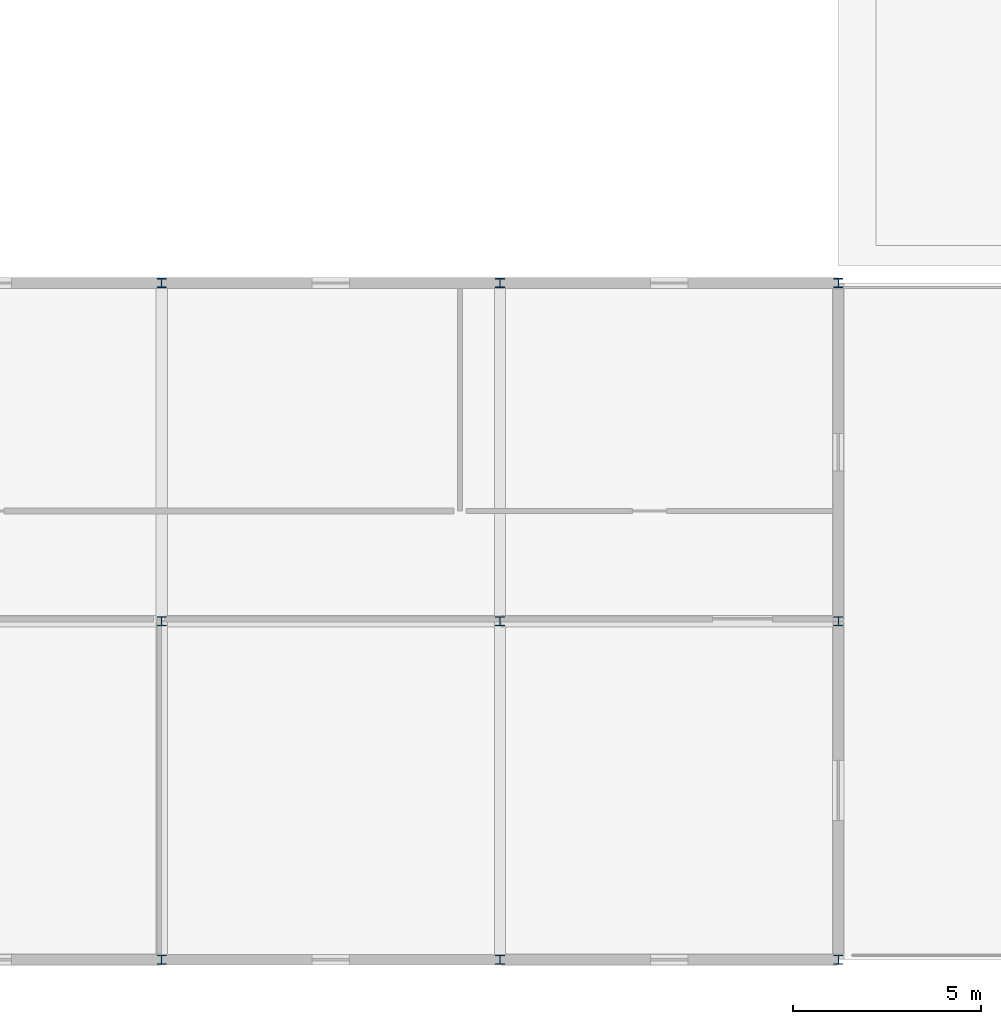
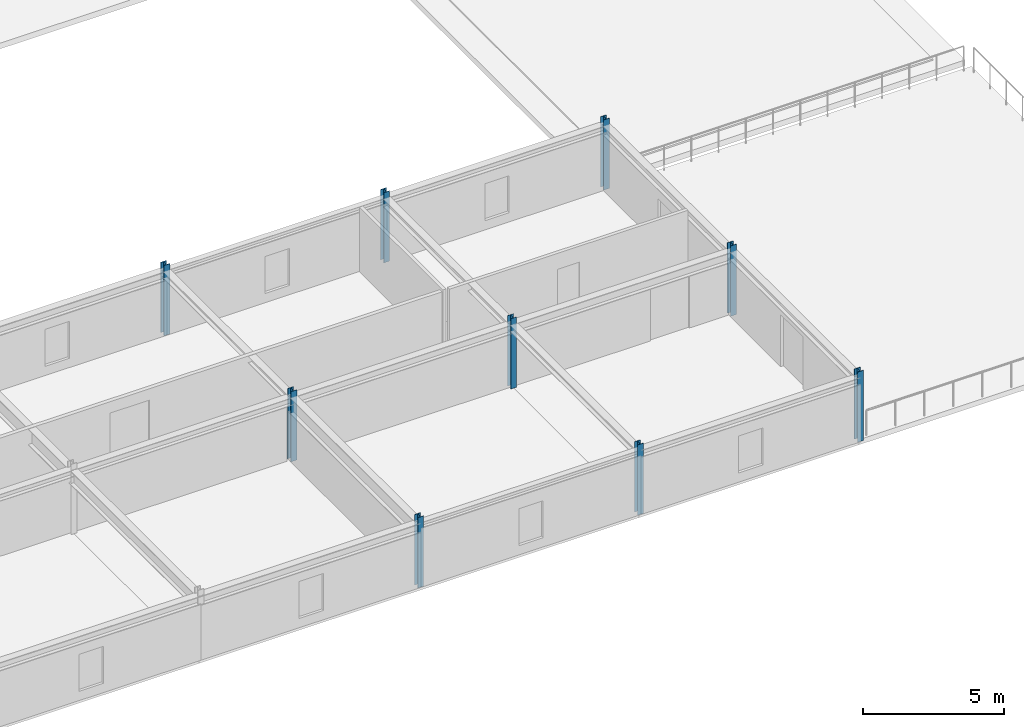
# One storey, part 7 of 37: 9 columns.
"""IFC4 building model written with IfcOpenShell, lengths in metres."""

from ifc_helpers import new_model, si_unit, direction, frame, origin, origin_2d, place, context, subcontext, project, spatial, i_section, extrude, material, material_profile, profile_set, type_object, element, save


model = new_model("IFC4")

# Units and contexts
model_context = context("Model", 3, precision=1e-05, world=origin(), true_north=direction((0.0, 1.0)))
body_context = subcontext(model_context, "Body", "Model", "MODEL_VIEW")
ifc_project = project(units=[si_unit("LENGTHUNIT", "METRE"), si_unit("AREAUNIT", "SQUARE_METRE"), si_unit("VOLUMEUNIT", "CUBIC_METRE"), si_unit("PLANEANGLEUNIT", "RADIAN"), si_unit("MASSUNIT", "GRAM", prefix="KILO")], contexts=[model_context])

# Site, building, storey
site_placement = place(None, origin())
site = spatial("IfcSite", under=ifc_project, at=site_placement, CompositionType="ELEMENT")
building_placement = place(site_placement, origin())
building = spatial("IfcBuilding", under=site, at=building_placement, Name="Palais des Congres Ocreval", CompositionType="ELEMENT")
storey_placement = place(building_placement, frame((0.0, 0.0, 11.52001953125)))
storey = spatial("IfcBuildingStorey", under=building, at=storey_placement, Name="L03", CompositionType="ELEMENT", Elevation=11.52001953125)

# Columns
ifc_material = material(Name="Steel S355", Category="steel")
ifc_material_profile = material_profile(ifc_material, i_section(OverallWidth=0.239990234375, OverallDepth=0.239990234375, WebThickness=0.010009765625, FlangeThickness=0.01708984375, at=origin_2d()), Name="HEB 240")
ifc_profile_set = profile_set([ifc_material_profile], Name="Steel S355")
column_type = type_object("IfcColumnType", Name="Column HEB 240 Steel S355", PredefinedType="COLUMN", material=ifc_profile_set)
for number, where, z_axis, x_axis, name in (
    (1, (135.0, 0.0, 0.0), (0.0, 0.0, 1.0), (1.0, 0.0, 0.0), "Column C14 L03"),
    (2, (135.0, 9.0, 0.0), (0.0, 0.0, 1.0), (1.0, 0.0, 0.0), "Column C14 L03"),
    (3, (135.0, 18.0, 0.0), (0.0, 0.0, 1.0), (1.0, 0.0, 0.0), "Column C14 L03"),
    (4, (144.0, 0.0, 0.0), (0.0, 0.0, 1.0), (1.0, 0.0, 0.0), "Column C14 L03"),
    (5, (144.0, 9.0, 0.0), (0.0, 0.0, 1.0), (1.0, 0.0, 0.0), "Column C14 L03"),
    (6, (144.0, 18.0, 0.0), (0.0, 0.0, 1.0), (1.0, 0.0, 0.0), "Column C14 L03"),
    (7, (153.0, 0.0, 0.0), (0.0, 0.0, 1.0), (1.0, 0.0, 0.0), "Column C14 L03"),
    (8, (153.0, 9.0, 0.0), (0.0, 0.0, 1.0), (1.0, 0.0, 0.0), "Column C14 L03"),
    (9, (153.0, 18.0, 0.0), (0.0, 0.0, 1.0), (1.0, 0.0, 0.0), "Column C14 L03"),
):
    element("IfcColumn", number, at=place(storey_placement, frame(where, z_axis=z_axis, x_axis=x_axis)), inside=storey, type_object=column_type, Name=name, PredefinedType="COLUMN", context=body_context, shape_type="SweptSolid", body=[
        extrude(i_section(OverallWidth=0.239990234375, OverallDepth=0.239990234375, WebThickness=0.010009765625, FlangeThickness=0.01708984375, at=origin_2d()), origin(), (0.0, 0.0, 1.0), 3.0400390625),
    ])

save(model, "model.ifc")
